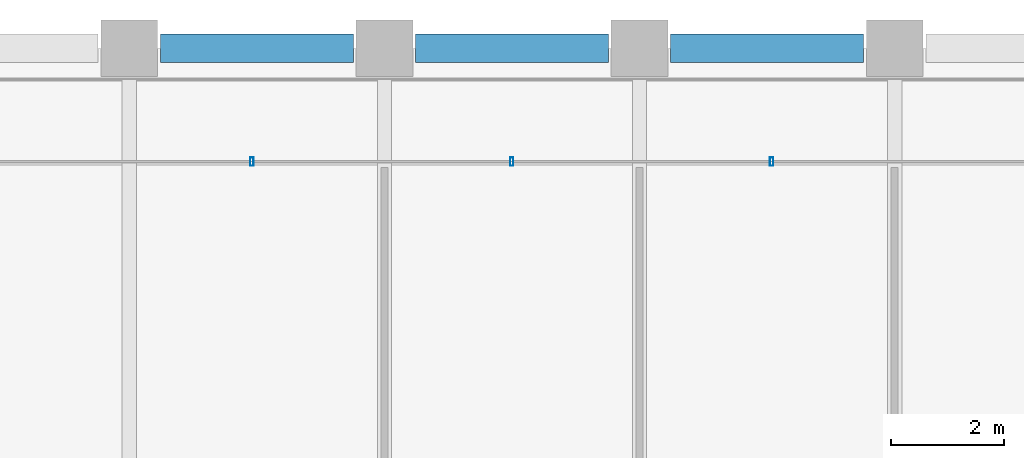
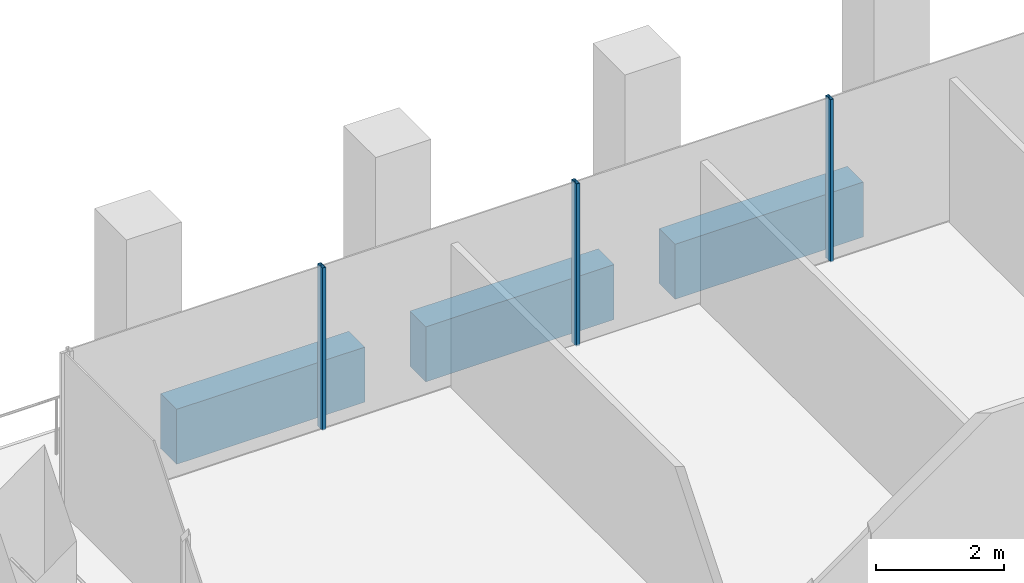
# One storey, part 25 of 52: 3 beams, 3 members, 1 element without a shape of its own.
"""IFC4 building model written with IfcOpenShell, lengths in metres."""

from ifc_helpers import new_model, si_unit, direction, frame, origin, origin_2d, place, context, subcontext, project, spatial, rectangle, hollow_rectangle, extrude, material, material_profile, profile_set, type_object, element, aggregate, save


model = new_model("IFC4")

# Units and contexts
model_context = context("Model", 3, precision=1e-05, world=origin(), true_north=direction((0.0, 1.0)))
body_context = subcontext(model_context, "Body", "Model", "MODEL_VIEW")
ifc_project = project(units=[si_unit("LENGTHUNIT", "METRE"), si_unit("AREAUNIT", "SQUARE_METRE"), si_unit("VOLUMEUNIT", "CUBIC_METRE"), si_unit("PLANEANGLEUNIT", "RADIAN"), si_unit("MASSUNIT", "GRAM", prefix="KILO")], contexts=[model_context])

# Site, building, storey
site_placement = place(None, origin())
site = spatial("IfcSite", under=ifc_project, at=site_placement, CompositionType="ELEMENT")
building_placement = place(site_placement, origin())
building = spatial("IfcBuilding", under=site, at=building_placement, Name="Altepetl Exchange Towers", CompositionType="ELEMENT")
storey_placement = place(building_placement, frame((0.0, 0.0, 92.0)))
storey = spatial("IfcBuildingStorey", under=building, at=storey_placement, Name="L22", CompositionType="ELEMENT", Elevation=92.0)

# Curtain wall, members
ifc_material_1 = material(Name="Aluminium 6063-T6 glazing", Category="aluminium")
curtain_wall_type = type_object("IfcCurtainWallType", Name="Loggia glazing system", PredefinedType="NOTDEFINED", material=ifc_material_1)
curtain_wall_placement = place(storey_placement, origin())
curtain_wall = element("IfcCurtainWall", 1, at=curtain_wall_placement, inside=storey, type_object=curtain_wall_type, Name="CW1 run", PredefinedType="NOTDEFINED")
ifc_material_2 = material(Name="Aluminium 6063-T6", Category="aluminium")
ifc_material_profile_1 = material_profile(ifc_material_2, hollow_rectangle(XDim=0.06005859375, YDim=0.14990234375, WallThickness=0.0029296875, at=origin_2d()), Name="Mullion 60x150 aluminium")
ifc_profile_set_1 = profile_set([ifc_material_profile_1], Name="Aluminium 6063-T6")
member_type = type_object("IfcMemberType", Name="Mullion 60x150 aluminium", PredefinedType="MULLION", material=ifc_profile_set_1)
member_1_placement = place(storey_placement, frame((56.330078125, 70.0, 0.0), z_axis=(0.0, 0.0, 1.0), x_axis=(-1.0, 0.0, 0.0)))
member_1 = element("IfcMember", 2, at=member_1_placement, type_object=member_type, Name="MU1 mullion", PredefinedType="MULLION", context=body_context, shape_type="SweptSolid", body=[
    extrude(hollow_rectangle(XDim=0.06005859375, YDim=0.14990234375, WallThickness=0.0029296875, at=origin_2d()), origin(), (0.0, 0.0, 1.0), 3.10009765625),
])
member_2_placement = place(storey_placement, frame((51.7451171875, 70.0, 0.0), z_axis=(0.0, 0.0, 1.0), x_axis=(-1.0, 0.0, 0.0)))
member_2 = element("IfcMember", 3, at=member_2_placement, type_object=member_type, Name="MU1 mullion", PredefinedType="MULLION", context=body_context, shape_type="SweptSolid", body=[
    extrude(hollow_rectangle(XDim=0.06005859375, YDim=0.14990234375, WallThickness=0.0029296875, at=origin_2d()), origin(), (0.0, 0.0, 1.0), 3.10009765625),
])
member_3_placement = place(storey_placement, frame((47.159912109375, 70.0, 0.0), z_axis=(0.0, 0.0, 1.0), x_axis=(-1.0, 0.0, 0.0)))
member_3 = element("IfcMember", 4, at=member_3_placement, type_object=member_type, Name="MU1 mullion", PredefinedType="MULLION", context=body_context, shape_type="SweptSolid", body=[
    extrude(hollow_rectangle(XDim=0.06005859375, YDim=0.14990234375, WallThickness=0.0029296875, at=origin_2d()), origin(), (0.0, 0.0, 1.0), 3.10009765625),
])
aggregate(curtain_wall, [member_1, member_2, member_3])

# Beams
ifc_material_3 = material(Name="Concrete C50/60 precast with cantera rosa facing", Category="concrete")
ifc_material_profile_2 = material_profile(ifc_material_3, rectangle(XDim=0.5, YDim=1.050048828125, at=origin_2d()), Name="500 x 1050")
ifc_profile_set_2 = profile_set([ifc_material_profile_2], Name="Concrete C50/60 precast with cantera rosa facing")
beam_type = type_object("IfcBeamType", Name="Spandrel beam 500x1050 cantera rosa", PredefinedType="SPANDREL", material=ifc_profile_set_2)
for number, where, z_axis, x_axis, name in (
    (5, (57.949951171875, 72.0, -0.675048828125), (-1.0, 0.0, 0.0), (0.0, -1.0, 0.0), "sp:A:L22:026"),
    (6, (53.449951171875, 72.0, -0.675048828125), (-1.0, 0.0, 0.0), (0.0, -1.0, 0.0), "sp:A:L22:027"),
    (7, (48.949951171875, 72.0, -0.675048828125), (-1.0, 0.0, 0.0), (0.0, -1.0, 0.0), "sp:A:L22:028"),
):
    element("IfcBeam", number, at=place(storey_placement, frame(where, z_axis=z_axis, x_axis=x_axis)), inside=storey, type_object=beam_type, Name=name, PredefinedType="SPANDREL", context=body_context, shape_type="SweptSolid", body=[
        extrude(rectangle(XDim=0.5, YDim=1.050048828125, at=origin_2d()), origin(), (0.0, 0.0, 1.0), 3.39990234375),
    ])

save(model, "model.ifc")
